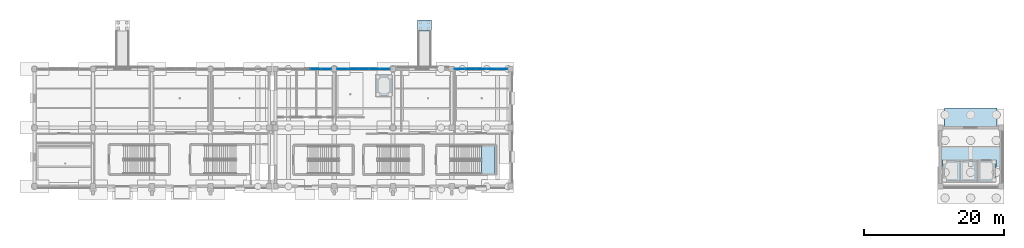
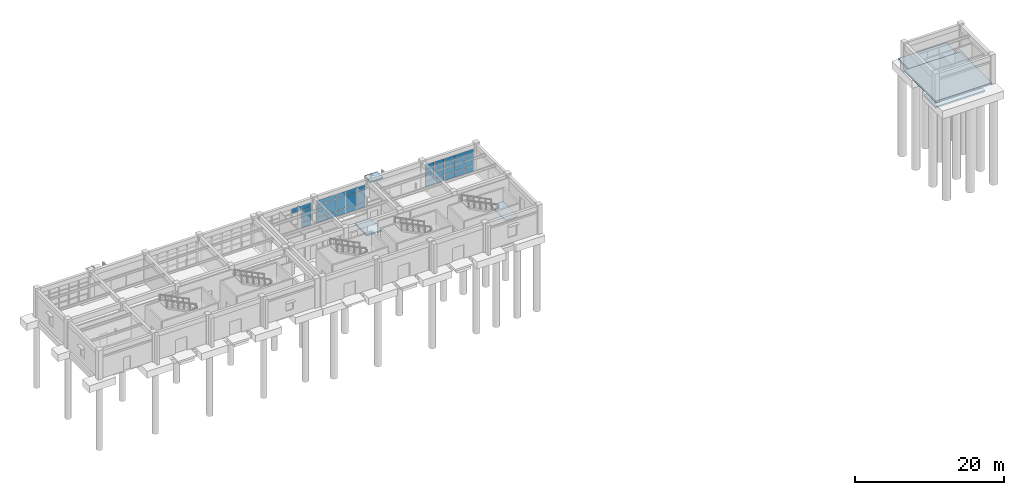
# One storey, part 16 of 29: 34 plates, 6 slabs, 4 elements without a shape of their own.
"""IFC4 building model written with IfcOpenShell, lengths in metres."""

import ifcopenshell
import ifcopenshell.guid

model = None  # the IFC model being written
_history = None  # IfcOwnerHistory: only IFC2X3 demands one
_inside = {}  # id of a spatial element -> (the spatial element, [elements in it])
_under = {}  # id of a project, library or spatial element -> (it, [spatial elements below it])
_declared = {}  # id of a project -> (the project, [libraries it declares])
_typed = {}  # id of a type object -> (the type object, [elements of that type])
_made_of = {}  # id of a material, layer set ... -> (it, [elements and type objects made of it])


def new_model(schema):
    """Start an empty IFC model of exactly this schema.

    Asked for "IFC4X3", IfcOpenShell would pick the latest addendum, in which some entities
    have other attributes; the version numbers below select the first issue.
    IFC2X3 requires an IfcOwnerHistory on every rooted entity: one is made here for all.
    """
    global model, _history
    if schema == "IFC4X3":
        model = ifcopenshell.file(schema_version=(4, 3, 0, 0))
    else:
        model = ifcopenshell.file(schema=schema)
    _inside.clear()
    _under.clear()
    _declared.clear()
    _typed.clear()
    _made_of.clear()
    _history = None
    if model.schema == "IFC2X3":
        org = make("IfcOrganization", Name="unknown")
        user = make(
            "IfcPersonAndOrganization",
            ThePerson=make("IfcPerson", FamilyName="unknown"),
            TheOrganization=org,
        )
        app = make(
            "IfcApplication",
            ApplicationDeveloper=org,
            Version="unknown",
            ApplicationFullName="unknown",
            ApplicationIdentifier="unknown",
        )
        _history = make(
            "IfcOwnerHistory",
            OwningUser=user,
            OwningApplication=app,
            ChangeAction="ADDED",
            CreationDate=0,
        )
    return model


def make(cls, **values):
    """One entity of the class cls with the attributes given. An attribute that is None is left unset."""
    return model.create_entity(
        cls, **{name: value for name, value in values.items() if value is not None}
    )


def rooted(cls, **values):
    """An entity with a GlobalId (a new one), such as an element, a storey or a relation."""
    return make(cls, GlobalId=ifcopenshell.guid.new(), OwnerHistory=_history, **values)


def si_unit(unit_type, name, prefix=None):
    """IfcSIUnit, for example si_unit("LENGTHUNIT", "METRE", prefix="MILLI")."""
    return make("IfcSIUnit", UnitType=unit_type, Prefix=prefix, Name=name)


def assignment(units):
    """IfcUnitAssignment: the units of a project."""
    return None if units is None else make("IfcUnitAssignment", Units=units)


def point(xyz):
    """IfcCartesianPoint."""
    return None if xyz is None else make("IfcCartesianPoint", Coordinates=xyz)


def direction(xyz):
    """IfcDirection."""
    return None if xyz is None else make("IfcDirection", DirectionRatios=xyz)


def frame(location, z_axis=None, x_axis=None):
    """IfcAxis2Placement3D, a coordinate frame: its origin and axes. An axis left out is left unset."""
    return make(
        "IfcAxis2Placement3D",
        Location=point(location),
        Axis=direction(z_axis),
        RefDirection=direction(x_axis),
    )


def frame_2d(location, x_axis=None):
    """IfcAxis2Placement2D, a coordinate frame in the plane: its origin and x axis."""
    return make(
        "IfcAxis2Placement2D", Location=point(location), RefDirection=direction(x_axis)
    )


def origin():
    """The frame at (0, 0, 0) with its axes left unset."""
    return frame((0.0, 0.0, 0.0))


def origin_2d():
    """The frame at (0, 0) in the plane with its x axis left unset."""
    return frame_2d((0.0, 0.0))


def place(relative_to, where):
    """IfcLocalPlacement: puts the frame where relative to a parent placement (None: the world)."""
    return make(
        "IfcLocalPlacement", PlacementRelTo=relative_to, RelativePlacement=where
    )


def context(
    kind, dimensions, precision=None, world=None, true_north=None, identifier=None
):
    """IfcGeometricRepresentationContext, for example the 3D "Model" context."""
    return make(
        "IfcGeometricRepresentationContext",
        ContextIdentifier=identifier,
        ContextType=kind,
        CoordinateSpaceDimension=dimensions,
        Precision=precision,
        WorldCoordinateSystem=world,
        TrueNorth=true_north,
    )


def subcontext(parent, identifier, kind, view, scale=None):
    """IfcGeometricRepresentationSubContext, for example "Body" below "Model"."""
    return make(
        "IfcGeometricRepresentationSubContext",
        ContextIdentifier=identifier,
        ContextType=kind,
        ParentContext=parent,
        TargetScale=scale,
        TargetView=view,
    )


def project(units=None, contexts=None):
    """IfcProject with its units and contexts."""
    return rooted(
        "IfcProject",
        Name="project",
        RepresentationContexts=contexts,
        UnitsInContext=assignment(units),
    )


def spatial(cls, under=None, at=None, **own):
    """A site, building, storey or space (cls), placed at a placement, below another one or the project."""
    s = rooted(cls, ObjectPlacement=at, **own)
    if under is not None:
        _under.setdefault(under.id(), (under, []))[1].append(s)
    return s


def polyline(points):
    """IfcPolyline through the points."""
    return make("IfcPolyline", Points=[point(p) for p in points])


def profile(cls, at=None, kind="AREA", **sizes):
    """A parametric profile (cls). Its sizes go by their IFC names, for example OverallWidth=200.0."""
    return make(cls, ProfileType=kind, Position=at, **sizes)


def rectangle(**sizes):
    """IfcRectangleProfileDef."""
    return profile("IfcRectangleProfileDef", **sizes)


def outline(outer, holes=None, kind="AREA"):
    """IfcArbitraryClosedProfileDef: a profile drawn as a closed curve; with holes, ...WithVoids."""
    if holes is None:
        return make("IfcArbitraryClosedProfileDef", ProfileType=kind, OuterCurve=outer)
    return make(
        "IfcArbitraryProfileDefWithVoids",
        ProfileType=kind,
        OuterCurve=outer,
        InnerCurves=holes,
    )


def extrude(swept, where, along, depth):
    """IfcExtrudedAreaSolid: the profile swept, set in the frame where, extruded along a direction by depth."""
    return make(
        "IfcExtrudedAreaSolid",
        SweptArea=swept,
        Position=where,
        ExtrudedDirection=direction(along),
        Depth=depth,
    )


def shape(context_of_items, identifier, shape_type, items):
    """IfcShapeRepresentation: the items that make up one representation, for example the "Body"."""
    return make(
        "IfcShapeRepresentation",
        ContextOfItems=context_of_items,
        RepresentationIdentifier=identifier,
        RepresentationType=shape_type,
        Items=items,
    )


def material(Name=None, Category=None):
    """IfcMaterial."""
    return make("IfcMaterial", Name=Name, Category=Category)


def layer(
    of_material, thickness, ventilated=None, Name=None, Category=None, Priority=None
):
    """IfcMaterialLayer: one layer of a wall or slab, of a material (None: an air gap)."""
    return make(
        "IfcMaterialLayer",
        Material=of_material,
        LayerThickness=thickness,
        IsVentilated=ventilated,
        Name=Name,
        Category=Category,
        Priority=Priority,
    )


def layer_set(layers, Name=None):
    """IfcMaterialLayerSet."""
    return make("IfcMaterialLayerSet", MaterialLayers=layers, LayerSetName=Name)


def made_of(thing, what):
    """Note that an element or type object is made of a material, layer set ...; save() writes the relation."""
    if what is not None:
        _made_of.setdefault(what.id(), (what, []))[1].append(thing)
    return thing


def type_object(cls, material=None, **own):
    """A type object (cls), such as IfcWallType, which elements share."""
    return made_of(rooted(cls, **own), material)


def element(
    cls,
    number,
    at=None,
    inside=None,
    cuts=None,
    type_object=None,
    material=None,
    context=None,
    identifier="Body",
    shape_type=None,
    held_by="IfcProductDefinitionShape",
    body=None,
    shapes=None,
    **own,
):
    """One element of the class cls, such as IfcWall. Its Tag is "e" and its number.

    at: its placement. inside: the storey or other place that contains it. cuts: it is an
    opening in that element (IfcRelVoidsElement). A single representation is given by context,
    identifier, shape_type and body (its items); several are given by shapes. held_by: the class
    of the entity that holds the representations. save() writes the other relations.
    """
    e = rooted(cls, Tag="e%d" % number, ObjectPlacement=at, **own)
    if body is not None:
        shapes = [shape(context, identifier, shape_type, body)]
    if shapes is not None:
        e.Representation = make(held_by, Representations=shapes)
    if inside is not None:
        _inside.setdefault(inside.id(), (inside, []))[1].append(e)
    if cuts is not None:
        rooted(
            "IfcRelVoidsElement", RelatingBuildingElement=cuts, RelatedOpeningElement=e
        )
    if type_object is not None:
        _typed.setdefault(type_object.id(), (type_object, []))[1].append(e)
    return made_of(e, material)


def aggregate(whole, parts):
    """IfcRelAggregates: a whole, such as a stair, and the parts it consists of."""
    return rooted("IfcRelAggregates", RelatingObject=whole, RelatedObjects=parts)


def save(model, path):
    """Write the relations noted so far, then the file.

    IfcRelAggregates (storeys below a building ...), IfcRelContainedInSpatialStructure (elements
    in a storey), IfcRelDefinesByType, IfcRelAssociatesMaterial and IfcRelDeclares: one each for
    every whole, place, type object, material and project.
    """
    for whole, parts in _under.values():
        aggregate(whole, parts)
    for where, things in _inside.values():
        rooted(
            "IfcRelContainedInSpatialStructure",
            RelatedElements=things,
            RelatingStructure=where,
        )
    for kind, things in _typed.values():
        rooted("IfcRelDefinesByType", RelatedObjects=things, RelatingType=kind)
    for what, things in _made_of.values():
        rooted("IfcRelAssociatesMaterial", RelatedObjects=things, RelatingMaterial=what)
    for by, libraries in _declared.values():
        rooted("IfcRelDeclares", RelatingContext=by, RelatedDefinitions=libraries)
    model.write(path)


model = new_model("IFC4")

# Units and contexts
model_context = context("Model", 3, precision=1e-05, world=origin(), true_north=direction((0.0, 1.0)))
body_context = subcontext(model_context, "Body", "Model", "MODEL_VIEW")
ifc_project = project(units=[si_unit("LENGTHUNIT", "METRE"), si_unit("AREAUNIT", "SQUARE_METRE"), si_unit("VOLUMEUNIT", "CUBIC_METRE"), si_unit("PLANEANGLEUNIT", "RADIAN"), si_unit("MASSUNIT", "GRAM", prefix="KILO")], contexts=[model_context])

# Site, building, storey
site_placement = place(None, origin())
site = spatial("IfcSite", under=ifc_project, at=site_placement, CompositionType="ELEMENT")
building_placement = place(site_placement, origin())
building = spatial("IfcBuilding", under=site, at=building_placement, Name="Canglan Escarpment Cableway Terminal", CompositionType="ELEMENT")
storey_placement = place(building_placement, origin())
storey = spatial("IfcBuildingStorey", under=building, at=storey_placement, Name="L00", CompositionType="ELEMENT", Elevation=0.0)

# Curtain wall, plates
ifc_material_1 = material(Name="Anodized bronze aluminium and Low-E double glazing", Category="aluminium")
curtain_wall_type = type_object("IfcCurtainWallType", Name="CW-BAY-7650x3775", PredefinedType="NOTDEFINED", material=ifc_material_1)
curtain_wall_1_placement = place(storey_placement, origin())
curtain_wall_1 = element("IfcCurtainWall", 1, at=curtain_wall_1_placement, inside=storey, type_object=curtain_wall_type, Name="Classical bay-between-piers glazed curtain wall CW-03", PredefinedType="NOTDEFINED")
ifc_material_2 = material(Name="Double-silver Low-E laminated insulating glass", Category="glass")
ifc_layer_1 = layer(ifc_material_2, 0.02392578125, Name="Double-silver Low-E laminated insulating glass")
ifc_layer_set_1 = layer_set([ifc_layer_1], Name="Double-silver Low-E laminated insulating glass")
plate_type_1 = type_object("IfcPlateType", Name="CWP-01", PredefinedType="CURTAIN_PANEL", material=ifc_layer_set_1)
plate_1_placement = place(storey_placement, frame((74.94384765625, 24.800048828125, 0.06005859375), z_axis=(0.0, 0.0, 1.0), x_axis=(-1.0, 0.0, 0.0)))
plate_1 = element("IfcPlate", 2, at=plate_1_placement, type_object=plate_type_1, Name="CW-03 panel 1.1", PredefinedType="CURTAIN_PANEL", context=body_context, shape_type="SweptSolid", body=[
    extrude(rectangle(XDim=1.4326171875, YDim=0.02392578125, at=origin_2d()), origin(), (0.0, 0.0, 1.0), 0.860107421875),
])
plate_2_placement = place(storey_placement, frame((74.94384765625, 24.800048828125, 0.97998046875), z_axis=(0.0, 0.0, 1.0), x_axis=(-1.0, 0.0, 0.0)))
plate_2 = element("IfcPlate", 3, at=plate_2_placement, type_object=plate_type_1, Name="CW-03 panel 1.2", PredefinedType="CURTAIN_PANEL", context=body_context, shape_type="SweptSolid", body=[
    extrude(rectangle(XDim=1.4326171875, YDim=0.02392578125, at=origin_2d()), origin(), (0.0, 0.0, 1.0), 1.925048828125),
])
plate_3_placement = place(storey_placement, frame((74.94384765625, 24.800048828125, 2.96484375), z_axis=(0.0, 0.0, 1.0), x_axis=(-1.0, 0.0, 0.0)))
plate_3 = element("IfcPlate", 4, at=plate_3_placement, type_object=plate_type_1, Name="CW-03 panel 1.3", PredefinedType="CURTAIN_PANEL", context=body_context, shape_type="SweptSolid", body=[
    extrude(rectangle(XDim=1.4326171875, YDim=0.02392578125, at=origin_2d()), origin(), (0.0, 0.0, 1.0), 0.760009765625),
])
plate_4_placement = place(storey_placement, frame((73.429931640625, 24.800048828125, 0.06005859375), z_axis=(0.0, 0.0, 1.0), x_axis=(-1.0, 0.0, 0.0)))
plate_4 = element("IfcPlate", 5, at=plate_4_placement, type_object=plate_type_1, Name="CW-03 panel 2.1", PredefinedType="CURTAIN_PANEL", context=body_context, shape_type="SweptSolid", body=[
    extrude(rectangle(XDim=1.465087890625, YDim=0.02392578125, at=origin_2d()), origin(), (0.0, 0.0, 1.0), 0.860107421875),
])
plate_5_placement = place(storey_placement, frame((73.429931640625, 24.800048828125, 0.97998046875), z_axis=(0.0, 0.0, 1.0), x_axis=(-1.0, 0.0, 0.0)))
plate_5 = element("IfcPlate", 6, at=plate_5_placement, type_object=plate_type_1, Name="CW-03 panel 2.2", PredefinedType="CURTAIN_PANEL", context=body_context, shape_type="SweptSolid", body=[
    extrude(rectangle(XDim=1.465087890625, YDim=0.02392578125, at=origin_2d()), origin(), (0.0, 0.0, 1.0), 1.925048828125),
])
plate_6_placement = place(storey_placement, frame((73.429931640625, 24.800048828125, 2.96484375), z_axis=(0.0, 0.0, 1.0), x_axis=(-1.0, 0.0, 0.0)))
plate_6 = element("IfcPlate", 7, at=plate_6_placement, type_object=plate_type_1, Name="CW-03 panel 2.3", PredefinedType="CURTAIN_PANEL", context=body_context, shape_type="SweptSolid", body=[
    extrude(rectangle(XDim=1.465087890625, YDim=0.02392578125, at=origin_2d()), origin(), (0.0, 0.0, 1.0), 0.760009765625),
])
plate_7_placement = place(storey_placement, frame((71.89990234375, 24.800048828125, 0.06005859375), z_axis=(0.0, 0.0, 1.0), x_axis=(-1.0, 0.0, 0.0)))
plate_7 = element("IfcPlate", 8, at=plate_7_placement, type_object=plate_type_1, Name="CW-03 panel 3.1", PredefinedType="CURTAIN_PANEL", context=body_context, shape_type="SweptSolid", body=[
    extrude(rectangle(XDim=1.465087890625, YDim=0.02392578125, at=origin_2d()), origin(), (0.0, 0.0, 1.0), 0.860107421875),
])
plate_8_placement = place(storey_placement, frame((71.89990234375, 24.800048828125, 0.97998046875), z_axis=(0.0, 0.0, 1.0), x_axis=(-1.0, 0.0, 0.0)))
plate_8 = element("IfcPlate", 9, at=plate_8_placement, type_object=plate_type_1, Name="CW-03 panel 3.2", PredefinedType="CURTAIN_PANEL", context=body_context, shape_type="SweptSolid", body=[
    extrude(rectangle(XDim=1.465087890625, YDim=0.02392578125, at=origin_2d()), origin(), (0.0, 0.0, 1.0), 1.925048828125),
])
plate_9_placement = place(storey_placement, frame((71.89990234375, 24.800048828125, 2.96484375), z_axis=(0.0, 0.0, 1.0), x_axis=(-1.0, 0.0, 0.0)))
plate_9 = element("IfcPlate", 10, at=plate_9_placement, type_object=plate_type_1, Name="CW-03 panel 3.3", PredefinedType="CURTAIN_PANEL", context=body_context, shape_type="SweptSolid", body=[
    extrude(rectangle(XDim=1.465087890625, YDim=0.02392578125, at=origin_2d()), origin(), (0.0, 0.0, 1.0), 0.760009765625),
])
plate_10_placement = place(storey_placement, frame((70.3701171875, 24.800048828125, 0.06005859375), z_axis=(0.0, 0.0, 1.0), x_axis=(-1.0, 0.0, 0.0)))
plate_10 = element("IfcPlate", 11, at=plate_10_placement, type_object=plate_type_1, Name="CW-03 panel 4.1", PredefinedType="CURTAIN_PANEL", context=body_context, shape_type="SweptSolid", body=[
    extrude(rectangle(XDim=1.465087890625, YDim=0.02392578125, at=origin_2d()), origin(), (0.0, 0.0, 1.0), 0.860107421875),
])
plate_11_placement = place(storey_placement, frame((70.3701171875, 24.800048828125, 0.97998046875), z_axis=(0.0, 0.0, 1.0), x_axis=(-1.0, 0.0, 0.0)))
plate_11 = element("IfcPlate", 12, at=plate_11_placement, type_object=plate_type_1, Name="CW-03 panel 4.2", PredefinedType="CURTAIN_PANEL", context=body_context, shape_type="SweptSolid", body=[
    extrude(rectangle(XDim=1.465087890625, YDim=0.02392578125, at=origin_2d()), origin(), (0.0, 0.0, 1.0), 1.925048828125),
])
plate_12_placement = place(storey_placement, frame((70.3701171875, 24.800048828125, 2.96484375), z_axis=(0.0, 0.0, 1.0), x_axis=(-1.0, 0.0, 0.0)))
plate_12 = element("IfcPlate", 13, at=plate_12_placement, type_object=plate_type_1, Name="CW-03 panel 4.3", PredefinedType="CURTAIN_PANEL", context=body_context, shape_type="SweptSolid", body=[
    extrude(rectangle(XDim=1.465087890625, YDim=0.02392578125, at=origin_2d()), origin(), (0.0, 0.0, 1.0), 0.760009765625),
])
plate_13_placement = place(storey_placement, frame((68.856201171875, 24.800048828125, 0.06005859375), z_axis=(0.0, 0.0, 1.0), x_axis=(-1.0, 0.0, 0.0)))
plate_13 = element("IfcPlate", 14, at=plate_13_placement, type_object=plate_type_1, Name="CW-03 panel 5.1", PredefinedType="CURTAIN_PANEL", context=body_context, shape_type="SweptSolid", body=[
    extrude(rectangle(XDim=1.4326171875, YDim=0.02392578125, at=origin_2d()), origin(), (0.0, 0.0, 1.0), 0.860107421875),
])
plate_14_placement = place(storey_placement, frame((68.856201171875, 24.800048828125, 0.97998046875), z_axis=(0.0, 0.0, 1.0), x_axis=(-1.0, 0.0, 0.0)))
plate_14 = element("IfcPlate", 15, at=plate_14_placement, type_object=plate_type_1, Name="CW-03 panel 5.2", PredefinedType="CURTAIN_PANEL", context=body_context, shape_type="SweptSolid", body=[
    extrude(rectangle(XDim=1.4326171875, YDim=0.02392578125, at=origin_2d()), origin(), (0.0, 0.0, 1.0), 1.925048828125),
])
plate_15_placement = place(storey_placement, frame((68.856201171875, 24.800048828125, 2.96484375), z_axis=(0.0, 0.0, 1.0), x_axis=(-1.0, 0.0, 0.0)))
plate_15 = element("IfcPlate", 16, at=plate_15_placement, type_object=plate_type_1, Name="CW-03 panel 5.3", PredefinedType="CURTAIN_PANEL", context=body_context, shape_type="SweptSolid", body=[
    extrude(rectangle(XDim=1.4326171875, YDim=0.02392578125, at=origin_2d()), origin(), (0.0, 0.0, 1.0), 0.760009765625),
])
aggregate(curtain_wall_1, [plate_1, plate_2, plate_3, plate_4, plate_5, plate_6, plate_7, plate_8, plate_9, plate_10, plate_11, plate_12, plate_13, plate_14, plate_15])

curtain_wall_2_placement = place(storey_placement, origin())
curtain_wall_2 = element("IfcCurtainWall", 17, at=curtain_wall_2_placement, inside=storey, type_object=curtain_wall_type, Name="Classical bay-between-piers glazed curtain wall CW-03", PredefinedType="NOTDEFINED")
ifc_layer_2 = layer(ifc_material_2, 0.028076171875, Name="Double-silver Low-E laminated insulating glass")
ifc_layer_set_2 = layer_set([ifc_layer_2], Name="Double-silver Low-E laminated insulating glass")
plate_type_2 = type_object("IfcPlateType", Name="CWP-02", PredefinedType="CURTAIN_PANEL", material=ifc_layer_set_2)
plate_16_placement = place(storey_placement, frame((49.74365234375, 24.800048828125, 0.06005859375), z_axis=(0.0, 0.0, 1.0), x_axis=(-1.0, 0.0, 0.0)))
plate_16 = element("IfcPlate", 18, at=plate_16_placement, type_object=plate_type_2, Name="CW-03 panel 1.1", PredefinedType="CURTAIN_PANEL", context=body_context, shape_type="SweptSolid", body=[
    extrude(rectangle(XDim=1.4326171875, YDim=0.028076171875, at=origin_2d()), origin(), (0.0, 0.0, 1.0), 0.860107421875),
])
plate_17_placement = place(storey_placement, frame((49.74365234375, 24.800048828125, 0.97998046875), z_axis=(0.0, 0.0, 1.0), x_axis=(-1.0, 0.0, 0.0)))
plate_17 = element("IfcPlate", 19, at=plate_17_placement, type_object=plate_type_2, Name="CW-03 panel 1.2", PredefinedType="CURTAIN_PANEL", context=body_context, shape_type="SweptSolid", body=[
    extrude(rectangle(XDim=1.4326171875, YDim=0.028076171875, at=origin_2d()), origin(), (0.0, 0.0, 1.0), 1.925048828125),
])
plate_18_placement = place(storey_placement, frame((49.74365234375, 24.800048828125, 2.96484375), z_axis=(0.0, 0.0, 1.0), x_axis=(-1.0, 0.0, 0.0)))
plate_18 = element("IfcPlate", 20, at=plate_18_placement, type_object=plate_type_2, Name="CW-03 panel 1.3", PredefinedType="CURTAIN_PANEL", context=body_context, shape_type="SweptSolid", body=[
    extrude(rectangle(XDim=1.4326171875, YDim=0.028076171875, at=origin_2d()), origin(), (0.0, 0.0, 1.0), 0.760009765625),
])
plate_19_placement = place(storey_placement, frame((48.22998046875, 24.800048828125, 2.96484375), z_axis=(0.0, 0.0, 1.0), x_axis=(-1.0, 0.0, 0.0)))
plate_19 = element("IfcPlate", 21, at=plate_19_placement, type_object=plate_type_2, Name="CW-03 panel 2.3", PredefinedType="CURTAIN_PANEL", context=body_context, shape_type="SweptSolid", body=[
    extrude(rectangle(XDim=1.465087890625, YDim=0.028076171875, at=origin_2d()), origin(), (0.0, 0.0, 1.0), 0.760009765625),
])
aggregate(curtain_wall_2, [plate_16, plate_17, plate_18, plate_19])

curtain_wall_3_placement = place(storey_placement, origin())
curtain_wall_3 = element("IfcCurtainWall", 22, at=curtain_wall_3_placement, inside=storey, type_object=curtain_wall_type, Name="Classical bay-between-piers glazed curtain wall CW-03", PredefinedType="NOTDEFINED")
ifc_layer_3 = layer(ifc_material_2, 0.031982421875, Name="Double-silver Low-E laminated insulating glass")
ifc_layer_set_3 = layer_set([ifc_layer_3], Name="Double-silver Low-E laminated insulating glass")
plate_type_3 = type_object("IfcPlateType", Name="CWP-03", PredefinedType="CURTAIN_PANEL", material=ifc_layer_set_3)
plate_20_placement = place(storey_placement, frame((58.143798828125, 24.800048828125, 0.06494140625), z_axis=(0.0, 0.0, 1.0), x_axis=(-1.0, 0.0, 0.0)))
plate_20 = element("IfcPlate", 23, at=plate_20_placement, type_object=plate_type_3, Name="CW-03 panel 1.1", PredefinedType="CURTAIN_PANEL", context=body_context, shape_type="SweptSolid", body=[
    extrude(rectangle(XDim=1.4326171875, YDim=0.031982421875, at=origin_2d()), origin(), (0.0, 0.0, 1.0), 0.8525390625),
])
plate_21_placement = place(storey_placement, frame((58.143798828125, 24.800048828125, 0.982421875), z_axis=(0.0, 0.0, 1.0), x_axis=(-1.0, 0.0, 0.0)))
plate_21 = element("IfcPlate", 24, at=plate_21_placement, type_object=plate_type_3, Name="CW-03 panel 1.2", PredefinedType="CURTAIN_PANEL", context=body_context, shape_type="SweptSolid", body=[
    extrude(rectangle(XDim=1.4326171875, YDim=0.031982421875, at=origin_2d()), origin(), (0.0, 0.0, 1.0), 1.919921875),
])
plate_22_placement = place(storey_placement, frame((58.143798828125, 24.800048828125, 2.967529296875), z_axis=(0.0, 0.0, 1.0), x_axis=(-1.0, 0.0, 0.0)))
plate_22 = element("IfcPlate", 25, at=plate_22_placement, type_object=plate_type_3, Name="CW-03 panel 1.3", PredefinedType="CURTAIN_PANEL", context=body_context, shape_type="SweptSolid", body=[
    extrude(rectangle(XDim=1.4326171875, YDim=0.031982421875, at=origin_2d()), origin(), (0.0, 0.0, 1.0), 0.75244140625),
])
plate_23_placement = place(storey_placement, frame((56.6298828125, 24.800048828125, 0.06494140625), z_axis=(0.0, 0.0, 1.0), x_axis=(-1.0, 0.0, 0.0)))
plate_23 = element("IfcPlate", 26, at=plate_23_placement, type_object=plate_type_3, Name="CW-03 panel 2.1", PredefinedType="CURTAIN_PANEL", context=body_context, shape_type="SweptSolid", body=[
    extrude(rectangle(XDim=1.465087890625, YDim=0.031982421875, at=origin_2d()), origin(), (0.0, 0.0, 1.0), 0.8525390625),
])
plate_24_placement = place(storey_placement, frame((56.6298828125, 24.800048828125, 0.982421875), z_axis=(0.0, 0.0, 1.0), x_axis=(-1.0, 0.0, 0.0)))
plate_24 = element("IfcPlate", 27, at=plate_24_placement, type_object=plate_type_3, Name="CW-03 panel 2.2", PredefinedType="CURTAIN_PANEL", context=body_context, shape_type="SweptSolid", body=[
    extrude(rectangle(XDim=1.465087890625, YDim=0.031982421875, at=origin_2d()), origin(), (0.0, 0.0, 1.0), 1.919921875),
])
plate_25_placement = place(storey_placement, frame((56.6298828125, 24.800048828125, 2.967529296875), z_axis=(0.0, 0.0, 1.0), x_axis=(-1.0, 0.0, 0.0)))
plate_25 = element("IfcPlate", 28, at=plate_25_placement, type_object=plate_type_3, Name="CW-03 panel 2.3", PredefinedType="CURTAIN_PANEL", context=body_context, shape_type="SweptSolid", body=[
    extrude(rectangle(XDim=1.465087890625, YDim=0.031982421875, at=origin_2d()), origin(), (0.0, 0.0, 1.0), 0.75244140625),
])
plate_26_placement = place(storey_placement, frame((55.10009765625, 24.800048828125, 0.06494140625), z_axis=(0.0, 0.0, 1.0), x_axis=(-1.0, 0.0, 0.0)))
plate_26 = element("IfcPlate", 29, at=plate_26_placement, type_object=plate_type_3, Name="CW-03 panel 3.1", PredefinedType="CURTAIN_PANEL", context=body_context, shape_type="SweptSolid", body=[
    extrude(rectangle(XDim=1.465087890625, YDim=0.031982421875, at=origin_2d()), origin(), (0.0, 0.0, 1.0), 0.8525390625),
])
plate_27_placement = place(storey_placement, frame((55.10009765625, 24.800048828125, 0.982421875), z_axis=(0.0, 0.0, 1.0), x_axis=(-1.0, 0.0, 0.0)))
plate_27 = element("IfcPlate", 30, at=plate_27_placement, type_object=plate_type_3, Name="CW-03 panel 3.2", PredefinedType="CURTAIN_PANEL", context=body_context, shape_type="SweptSolid", body=[
    extrude(rectangle(XDim=1.465087890625, YDim=0.031982421875, at=origin_2d()), origin(), (0.0, 0.0, 1.0), 1.919921875),
])
plate_28_placement = place(storey_placement, frame((55.10009765625, 24.800048828125, 2.967529296875), z_axis=(0.0, 0.0, 1.0), x_axis=(-1.0, 0.0, 0.0)))
plate_28 = element("IfcPlate", 31, at=plate_28_placement, type_object=plate_type_3, Name="CW-03 panel 3.3", PredefinedType="CURTAIN_PANEL", context=body_context, shape_type="SweptSolid", body=[
    extrude(rectangle(XDim=1.465087890625, YDim=0.031982421875, at=origin_2d()), origin(), (0.0, 0.0, 1.0), 0.75244140625),
])
plate_29_placement = place(storey_placement, frame((53.570068359375, 24.800048828125, 0.06494140625), z_axis=(0.0, 0.0, 1.0), x_axis=(-1.0, 0.0, 0.0)))
plate_29 = element("IfcPlate", 32, at=plate_29_placement, type_object=plate_type_3, Name="CW-03 panel 4.1", PredefinedType="CURTAIN_PANEL", context=body_context, shape_type="SweptSolid", body=[
    extrude(rectangle(XDim=1.465087890625, YDim=0.031982421875, at=origin_2d()), origin(), (0.0, 0.0, 1.0), 0.8525390625),
])
plate_30_placement = place(storey_placement, frame((53.570068359375, 24.800048828125, 0.982421875), z_axis=(0.0, 0.0, 1.0), x_axis=(-1.0, 0.0, 0.0)))
plate_30 = element("IfcPlate", 33, at=plate_30_placement, type_object=plate_type_3, Name="CW-03 panel 4.2", PredefinedType="CURTAIN_PANEL", context=body_context, shape_type="SweptSolid", body=[
    extrude(rectangle(XDim=1.465087890625, YDim=0.031982421875, at=origin_2d()), origin(), (0.0, 0.0, 1.0), 1.919921875),
])
plate_31_placement = place(storey_placement, frame((53.570068359375, 24.800048828125, 2.967529296875), z_axis=(0.0, 0.0, 1.0), x_axis=(-1.0, 0.0, 0.0)))
plate_31 = element("IfcPlate", 34, at=plate_31_placement, type_object=plate_type_3, Name="CW-03 panel 4.3", PredefinedType="CURTAIN_PANEL", context=body_context, shape_type="SweptSolid", body=[
    extrude(rectangle(XDim=1.465087890625, YDim=0.031982421875, at=origin_2d()), origin(), (0.0, 0.0, 1.0), 0.75244140625),
])
plate_32_placement = place(storey_placement, frame((52.05615234375, 24.800048828125, 0.06494140625), z_axis=(0.0, 0.0, 1.0), x_axis=(-1.0, 0.0, 0.0)))
plate_32 = element("IfcPlate", 35, at=plate_32_placement, type_object=plate_type_3, Name="CW-03 panel 5.1", PredefinedType="CURTAIN_PANEL", context=body_context, shape_type="SweptSolid", body=[
    extrude(rectangle(XDim=1.4326171875, YDim=0.031982421875, at=origin_2d()), origin(), (0.0, 0.0, 1.0), 0.8525390625),
])
plate_33_placement = place(storey_placement, frame((52.05615234375, 24.800048828125, 0.982421875), z_axis=(0.0, 0.0, 1.0), x_axis=(-1.0, 0.0, 0.0)))
plate_33 = element("IfcPlate", 36, at=plate_33_placement, type_object=plate_type_3, Name="CW-03 panel 5.2", PredefinedType="CURTAIN_PANEL", context=body_context, shape_type="SweptSolid", body=[
    extrude(rectangle(XDim=1.4326171875, YDim=0.031982421875, at=origin_2d()), origin(), (0.0, 0.0, 1.0), 1.919921875),
])
plate_34_placement = place(storey_placement, frame((52.05615234375, 24.800048828125, 2.967529296875), z_axis=(0.0, 0.0, 1.0), x_axis=(-1.0, 0.0, 0.0)))
plate_34 = element("IfcPlate", 37, at=plate_34_placement, type_object=plate_type_3, Name="CW-03 panel 5.3", PredefinedType="CURTAIN_PANEL", context=body_context, shape_type="SweptSolid", body=[
    extrude(rectangle(XDim=1.4326171875, YDim=0.031982421875, at=origin_2d()), origin(), (0.0, 0.0, 1.0), 0.75244140625),
])
aggregate(curtain_wall_3, [plate_20, plate_21, plate_22, plate_23, plate_24, plate_25, plate_26, plate_27, plate_28, plate_29, plate_30, plate_31, plate_32, plate_33, plate_34])

# Slabs
ifc_material_3 = material(Name="Concrete C40", Category="concrete")
ifc_layer_4 = layer(ifc_material_3, 0.280029296875, Name="Concrete C40")
ifc_layer_set_4 = layer_set([ifc_layer_4], Name="Concrete C40")
slab_type_1 = type_object("IfcSlabType", Name="SLB-BASE-280", PredefinedType="BASESLAB", material=ifc_layer_set_4)
slab_1_placement = place(storey_placement, frame((0.0, 0.0, -0.280029296875)))
element("IfcSlab", 38, at=slab_1_placement, inside=storey, type_object=slab_type_1, Name="Core ground exit threshold apron slab SB-03", PredefinedType="BASESLAB", context=body_context, shape_type="SweptSolid", body=[
    extrude(outline(polyline([(138.199951171875, 16.39990234375), (145.699951171875, 16.39990234375), (145.699951171875, 19.199951171875), (138.199951171875, 19.199951171875), (138.199951171875, 16.39990234375)])), origin(), (0.0, 0.0, 1.0), 0.280029296875),
])
ifc_layer_5 = layer(ifc_material_3, 0.320068359375, Name="Concrete C40")
ifc_layer_set_5 = layer_set([ifc_layer_5], Name="Concrete C40")
slab_type_2 = type_object("IfcSlabType", Name="SLB-BASE-320", PredefinedType="BASESLAB", material=ifc_layer_set_5)
slab_2_placement = place(storey_placement, frame((0.0, 0.0, -0.320068359375)))
element("IfcSlab", 39, at=slab_2_placement, inside=storey, type_object=slab_type_2, Name="Reinforced concrete base slab SB-01", PredefinedType="BASESLAB", context=body_context, shape_type="SweptSolid", body=[
    extrude(outline(polyline([(137.60009765625, 8.0), (146.300048828125, 8.0), (146.300048828125, 16.39990234375), (137.60009765625, 16.39990234375), (137.60009765625, 8.0)])), origin(), (0.0, 0.0, 1.0), 0.320068359375),
])
ifc_layer_6 = layer(ifc_material_3, 0.239990234375, Name="Concrete C40")
ifc_layer_set_6 = layer_set([ifc_layer_6], Name="Concrete C40")
slab_type_3 = type_object("IfcSlabType", Name="SLB-PIT-240", PredefinedType="BASESLAB", material=ifc_layer_set_6)
slab_3_placement = place(storey_placement, frame((0.0, 0.0, -1.639892578125)))
element("IfcSlab", 40, at=slab_3_placement, inside=storey, type_object=slab_type_3, Name="Elevator shaft pit base slab LF-01", PredefinedType="BASESLAB", context=body_context, shape_type="SweptSolid", body=[
    extrude(outline(polyline([(137.89990234375, 8.60009765625), (145.60009765625, 8.60009765625), (145.60009765625, 11.800048828125), (137.89990234375, 11.800048828125), (137.89990234375, 8.60009765625)])), origin(), (0.0, 0.0, 1.0), 0.239990234375),
])
slab_4_placement = place(storey_placement, frame((0.0, 0.0, -1.639892578125)))
element("IfcSlab", 41, at=slab_4_placement, inside=storey, type_object=slab_type_3, Name="Elevator shaft pit base slab LF-05", PredefinedType="BASESLAB", context=body_context, shape_type="SweptSolid", body=[
    extrude(outline(polyline([(56.820068359375, 20.820068359375), (59.179931640625, 20.820068359375), (59.179931640625, 23.97998046875), (56.820068359375, 23.97998046875), (56.820068359375, 20.820068359375)])), origin(), (0.0, 0.0, 1.0), 0.239990234375),
])
ifc_layer_7 = layer(ifc_material_3, 0.199951171875, Name="Concrete C40")
ifc_layer_set_7 = layer_set([ifc_layer_7], Name="Concrete C40")
slab_type_4 = type_object("IfcSlabType", Name="SLB-RMP-LAND-200", PredefinedType="LANDING", material=ifc_layer_set_7)
slab_5_placement = place(storey_placement, frame((0.0, 0.0, -0.64990234375)))
element("IfcSlab", 42, at=slab_5_placement, inside=storey, type_object=slab_type_4, Name="Accessible Forecourt Entrance Ramp 2 bottom landing", PredefinedType="LANDING", context=body_context, shape_type="SweptSolid", body=[
    extrude(outline(polyline([(62.800048828125, 30.199951171875), (64.800048828125, 30.199951171875), (64.800048828125, 31.800048828125), (62.800048828125, 31.800048828125), (62.800048828125, 30.199951171875)])), origin(), (0.0, 0.0, 1.0), 0.199951171875),
])

# Stair, slab
stair_type = type_object("IfcStairType", Name="STR-DOGLEG-1900", PredefinedType="HALF_TURN_STAIR", material=ifc_material_3)
stair_placement = place(storey_placement, origin())
stair = element("IfcStair", 43, at=stair_placement, inside=storey, type_object=stair_type, Name="L00 Protected Exit Stair ST-05", PredefinedType="HALF_TURN_STAIR")
ifc_layer_8 = layer(ifc_material_3, 0.199951171875, Name="Concrete C40")
ifc_layer_set_8 = layer_set([ifc_layer_8], Name="Concrete C40")
slab_type_5 = type_object("IfcSlabType", Name="SLB-STAIR-LAND-200", PredefinedType="LANDING", material=ifc_layer_set_8)
slab_6_placement = place(storey_placement, frame((0.0, 0.0, 2.199951171875)))
slab_6 = element("IfcSlab", 44, at=slab_6_placement, type_object=slab_type_5, Name="ST-05 landing 1", PredefinedType="LANDING", context=body_context, shape_type="SweptSolid", body=[
    extrude(outline(polyline([(72.0, 9.800048828125), (73.89990234375, 9.800048828125), (73.89990234375, 13.75), (72.0, 13.75), (72.0, 9.800048828125)])), origin(), (0.0, 0.0, 1.0), 0.199951171875),
])
aggregate(stair, [slab_6])

save(model, "model.ifc")
